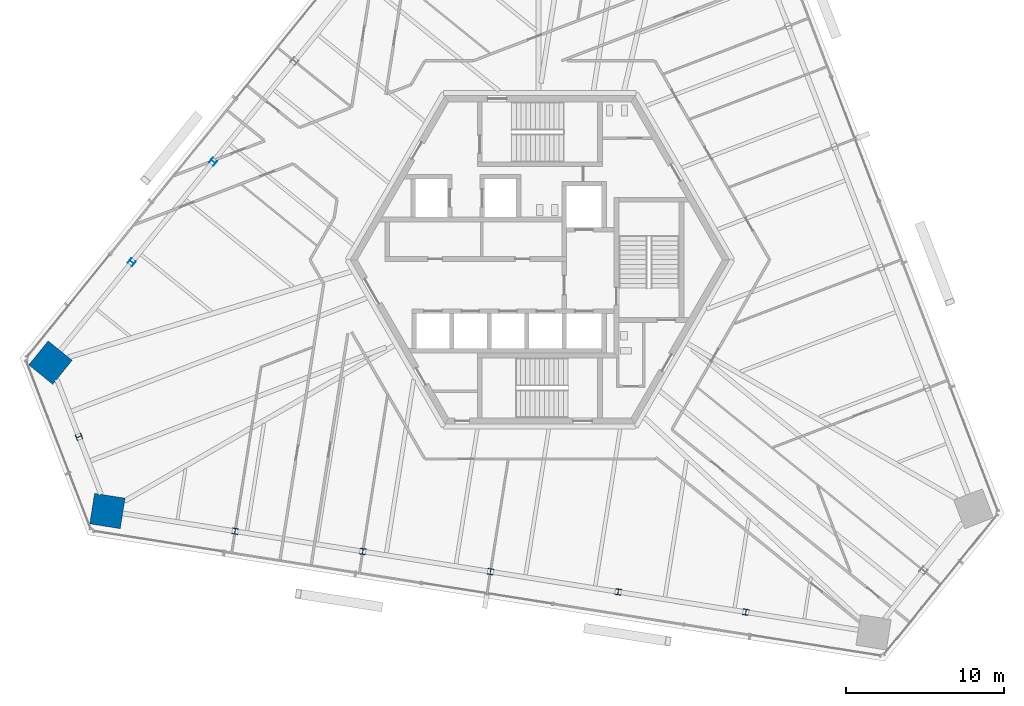
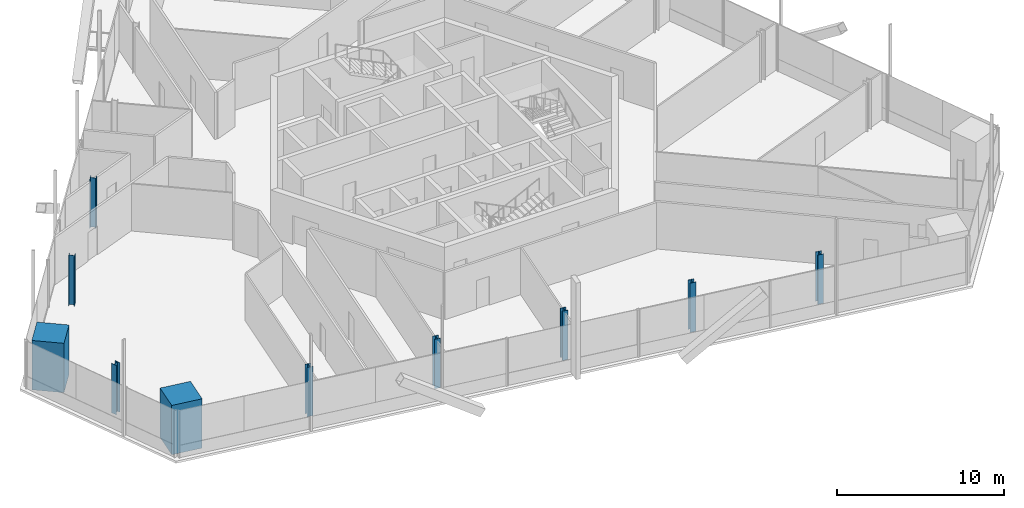
# One storey, part 1 of 21: 10 columns.
"""IFC4 building model written with IfcOpenShell, lengths in metres."""

from ifc_helpers import new_model, si_unit, direction, frame, origin, origin_2d, place, context, subcontext, project, spatial, rectangle, i_section, extrude, source, transform, mapped, material, material_profile, profile_set, type_object, element, save


model = new_model("IFC4")

# Units and contexts
model_context = context("Model", 3, precision=1e-05, world=origin(), true_north=direction((0.0, 1.0)))
body_context = subcontext(model_context, "Body", "Model", "MODEL_VIEW")
ifc_project = project(units=[si_unit("LENGTHUNIT", "METRE"), si_unit("AREAUNIT", "SQUARE_METRE"), si_unit("VOLUMEUNIT", "CUBIC_METRE"), si_unit("PLANEANGLEUNIT", "RADIAN"), si_unit("MASSUNIT", "GRAM", prefix="KILO")], contexts=[model_context])

# Site, building, storey
site_placement = place(None, origin())
site = spatial("IfcSite", under=ifc_project, at=site_placement, CompositionType="ELEMENT")
building_placement = place(site_placement, origin())
building = spatial("IfcBuilding", under=site, at=building_placement, Name="Triune Harvest Tower", CompositionType="ELEMENT")
storey_placement = place(building_placement, frame((0.0, 0.0, 160.5)))
storey = spatial("IfcBuildingStorey", under=building, at=storey_placement, Name="L41", CompositionType="ELEMENT", Elevation=160.5)

# Columns
ifc_material_1 = material(Name="Concrete 70 MPa", Category="concrete")
ifc_material_profile_1 = material_profile(ifc_material_1, rectangle(XDim=1.949951171875, YDim=1.949951171875, at=origin_2d()), Name="Composite 1950x1950")
ifc_profile_set_1 = profile_set([ifc_material_profile_1], Name="Concrete 70 MPa")
column_type_1 = type_object("IfcColumnType", Name="MC-4 Mega column Composite 1950x1950", PredefinedType="COLUMN", material=ifc_profile_set_1)
shared_shape_1 = source(origin(), body_context, "Body", "SweptSolid", [
    extrude(rectangle(XDim=1.949951171875, YDim=1.949951171875, at=origin_2d()), origin(), (0.0, 0.0, 1.0), 3.60009765625),
])
for number, where, z_axis, x_axis, name in (
    (1, (-30.947509765625, -6.4970703125, 0.0), (0.0, 0.0, 1.0), (-0.629321747424, -0.777144863084, 0.0), "col/L41/M14"),
    (2, (-27.345703125, -15.879638671875, 0.0), (0.0, 0.0, 1.0), (0.987688340595, -0.15643446504, 0.0), "col/L41/M16"),
):
    element("IfcColumn", number, at=place(storey_placement, frame(where, z_axis=z_axis, x_axis=x_axis)), inside=storey, type_object=column_type_1, Name=name, PredefinedType="COLUMN", context=body_context, shape_type="MappedRepresentation", body=[
        mapped(shared_shape_1, transform((0.0, 0.0, 0.0), scale=1.0)),
    ])
ifc_material_2 = material(Name="Steel ASTM A992 Gr 50", Category="steel")
ifc_material_profile_2 = material_profile(ifc_material_2, i_section(OverallWidth=0.373291015625, OverallDepth=0.373291015625, WebThickness=0.016357421875, FlangeThickness=0.026123046875, at=origin_2d()), Name="W14x132")
ifc_profile_set_2 = profile_set([ifc_material_profile_2], Name="Steel ASTM A992 Gr 50")
column_type_2 = type_object("IfcColumnType", Name="PC-4 Perimeter column W14x132", PredefinedType="COLUMN", material=ifc_profile_set_2)
shared_shape_2 = source(origin(), body_context, "Body", "SweptSolid", [
    extrude(i_section(OverallWidth=0.373291015625, OverallDepth=0.373291015625, WebThickness=0.016357421875, FlangeThickness=0.026123046875, at=origin_2d()), origin(), (0.0, 0.0, 1.0), 3.60009765625),
])
for number, where, z_axis, x_axis, name in (
    (3, (-20.657958984375, 6.209228515625, 0.0), (0.0, 0.0, 1.0), (-0.629321747424, -0.777144863084, 0.0), "col/L41/P12"),
    (4, (-25.802734375, -0.143798828125, 0.0), (0.0, 0.0, 1.0), (-0.629321747424, -0.777144863084, 0.0), "col/L41/P13"),
    (5, (-29.146484375, -11.188232421875, 0.0), (0.0, 0.0, 1.0), (0.35836632014, -0.933581051966, 0.0), "col/L41/P15"),
    (6, (-19.271484375, -17.158447265625, 0.0), (0.0, 0.0, 1.0), (0.987688340595, -0.15643446504, 0.0), "col/L41/P17"),
    (7, (-11.197021484375, -18.437255859375, 0.0), (0.0, 0.0, 1.0), (0.987688340595, -0.15643446504, 0.0), "col/L41/P18"),
    (8, (-3.122802734375, -19.716064453125, 0.0), (0.0, 0.0, 1.0), (0.987688340595, -0.15643446504, 0.0), "col/L41/P19"),
    (9, (4.95166015625, -20.9951171875, 0.0), (0.0, 0.0, 1.0), (0.987688340595, -0.15643446504, 0.0), "col/L41/P20"),
    (10, (13.02587890625, -22.27392578125, 0.0), (0.0, 0.0, 1.0), (0.987688340595, -0.15643446504, 0.0), "col/L41/P21"),
):
    element("IfcColumn", number, at=place(storey_placement, frame(where, z_axis=z_axis, x_axis=x_axis)), inside=storey, type_object=column_type_2, Name=name, PredefinedType="COLUMN", context=body_context, shape_type="MappedRepresentation", body=[
        mapped(shared_shape_2, transform((0.0, 0.0, 0.0), scale=1.0)),
    ])

save(model, "model.ifc")
